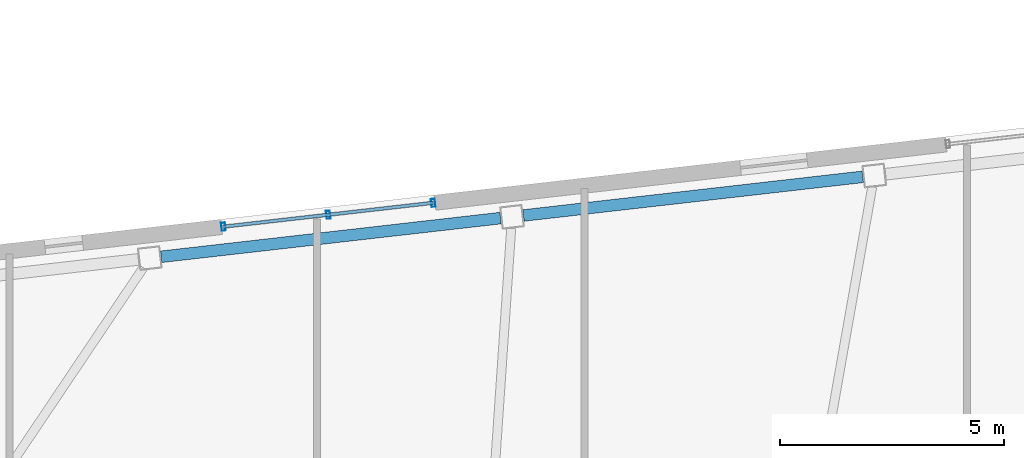
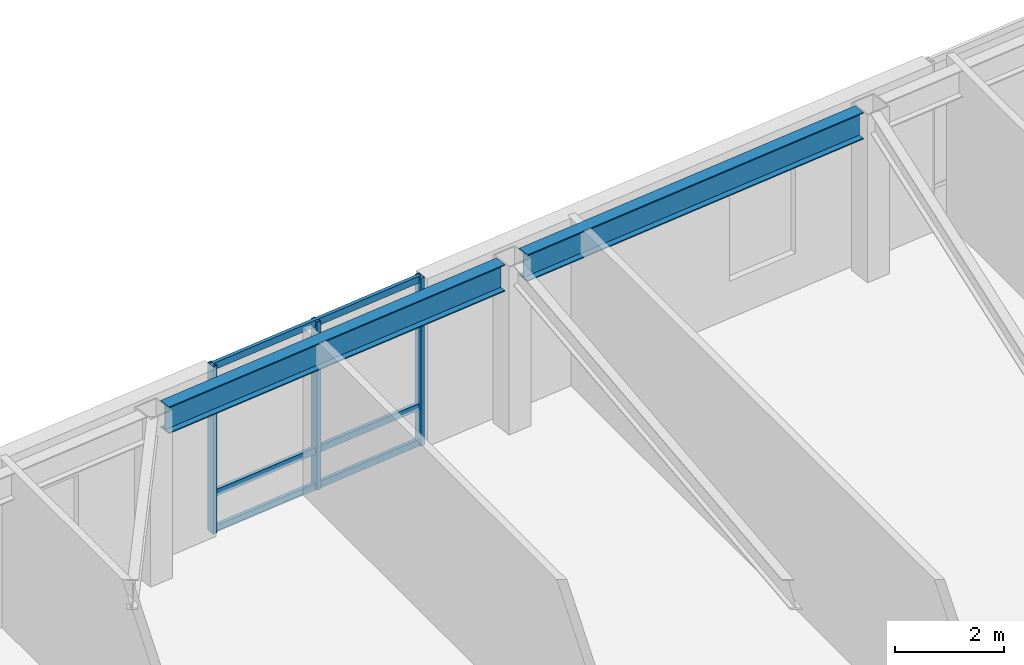
# One storey, part 8 of 19: 6 members, 2 beams, 1 element without a shape of its own.
"""IFC4 building model written with IfcOpenShell, lengths in metres."""

import ifcopenshell
import ifcopenshell.guid

model = None  # the IFC model being written
_history = None  # IfcOwnerHistory: only IFC2X3 demands one
_inside = {}  # id of a spatial element -> (the spatial element, [elements in it])
_under = {}  # id of a project, library or spatial element -> (it, [spatial elements below it])
_declared = {}  # id of a project -> (the project, [libraries it declares])
_typed = {}  # id of a type object -> (the type object, [elements of that type])
_made_of = {}  # id of a material, layer set ... -> (it, [elements and type objects made of it])


def new_model(schema):
    """Start an empty IFC model of exactly this schema.

    Asked for "IFC4X3", IfcOpenShell would pick the latest addendum, in which some entities
    have other attributes; the version numbers below select the first issue.
    IFC2X3 requires an IfcOwnerHistory on every rooted entity: one is made here for all.
    """
    global model, _history
    if schema == "IFC4X3":
        model = ifcopenshell.file(schema_version=(4, 3, 0, 0))
    else:
        model = ifcopenshell.file(schema=schema)
    _inside.clear()
    _under.clear()
    _declared.clear()
    _typed.clear()
    _made_of.clear()
    _history = None
    if model.schema == "IFC2X3":
        org = make("IfcOrganization", Name="unknown")
        user = make(
            "IfcPersonAndOrganization",
            ThePerson=make("IfcPerson", FamilyName="unknown"),
            TheOrganization=org,
        )
        app = make(
            "IfcApplication",
            ApplicationDeveloper=org,
            Version="unknown",
            ApplicationFullName="unknown",
            ApplicationIdentifier="unknown",
        )
        _history = make(
            "IfcOwnerHistory",
            OwningUser=user,
            OwningApplication=app,
            ChangeAction="ADDED",
            CreationDate=0,
        )
    return model


def make(cls, **values):
    """One entity of the class cls with the attributes given. An attribute that is None is left unset."""
    return model.create_entity(
        cls, **{name: value for name, value in values.items() if value is not None}
    )


def rooted(cls, **values):
    """An entity with a GlobalId (a new one), such as an element, a storey or a relation."""
    return make(cls, GlobalId=ifcopenshell.guid.new(), OwnerHistory=_history, **values)


def si_unit(unit_type, name, prefix=None):
    """IfcSIUnit, for example si_unit("LENGTHUNIT", "METRE", prefix="MILLI")."""
    return make("IfcSIUnit", UnitType=unit_type, Prefix=prefix, Name=name)


def assignment(units):
    """IfcUnitAssignment: the units of a project."""
    return None if units is None else make("IfcUnitAssignment", Units=units)


def point(xyz):
    """IfcCartesianPoint."""
    return None if xyz is None else make("IfcCartesianPoint", Coordinates=xyz)


def direction(xyz):
    """IfcDirection."""
    return None if xyz is None else make("IfcDirection", DirectionRatios=xyz)


def frame(location, z_axis=None, x_axis=None):
    """IfcAxis2Placement3D, a coordinate frame: its origin and axes. An axis left out is left unset."""
    return make(
        "IfcAxis2Placement3D",
        Location=point(location),
        Axis=direction(z_axis),
        RefDirection=direction(x_axis),
    )


def frame_2d(location, x_axis=None):
    """IfcAxis2Placement2D, a coordinate frame in the plane: its origin and x axis."""
    return make(
        "IfcAxis2Placement2D", Location=point(location), RefDirection=direction(x_axis)
    )


def origin():
    """The frame at (0, 0, 0) with its axes left unset."""
    return frame((0.0, 0.0, 0.0))


def origin_2d():
    """The frame at (0, 0) in the plane with its x axis left unset."""
    return frame_2d((0.0, 0.0))


def place(relative_to, where):
    """IfcLocalPlacement: puts the frame where relative to a parent placement (None: the world)."""
    return make(
        "IfcLocalPlacement", PlacementRelTo=relative_to, RelativePlacement=where
    )


def context(
    kind, dimensions, precision=None, world=None, true_north=None, identifier=None
):
    """IfcGeometricRepresentationContext, for example the 3D "Model" context."""
    return make(
        "IfcGeometricRepresentationContext",
        ContextIdentifier=identifier,
        ContextType=kind,
        CoordinateSpaceDimension=dimensions,
        Precision=precision,
        WorldCoordinateSystem=world,
        TrueNorth=true_north,
    )


def subcontext(parent, identifier, kind, view, scale=None):
    """IfcGeometricRepresentationSubContext, for example "Body" below "Model"."""
    return make(
        "IfcGeometricRepresentationSubContext",
        ContextIdentifier=identifier,
        ContextType=kind,
        ParentContext=parent,
        TargetScale=scale,
        TargetView=view,
    )


def project(units=None, contexts=None):
    """IfcProject with its units and contexts."""
    return rooted(
        "IfcProject",
        Name="project",
        RepresentationContexts=contexts,
        UnitsInContext=assignment(units),
    )


def spatial(cls, under=None, at=None, **own):
    """A site, building, storey or space (cls), placed at a placement, below another one or the project."""
    s = rooted(cls, ObjectPlacement=at, **own)
    if under is not None:
        _under.setdefault(under.id(), (under, []))[1].append(s)
    return s


def profile(cls, at=None, kind="AREA", **sizes):
    """A parametric profile (cls). Its sizes go by their IFC names, for example OverallWidth=200.0."""
    return make(cls, ProfileType=kind, Position=at, **sizes)


def hollow_rectangle(**sizes):
    """IfcRectangleHollowProfileDef."""
    return profile("IfcRectangleHollowProfileDef", **sizes)


def i_section(**sizes):
    """IfcIShapeProfileDef."""
    return profile("IfcIShapeProfileDef", **sizes)


def extrude(swept, where, along, depth):
    """IfcExtrudedAreaSolid: the profile swept, set in the frame where, extruded along a direction by depth."""
    return make(
        "IfcExtrudedAreaSolid",
        SweptArea=swept,
        Position=where,
        ExtrudedDirection=direction(along),
        Depth=depth,
    )


def shape(context_of_items, identifier, shape_type, items):
    """IfcShapeRepresentation: the items that make up one representation, for example the "Body"."""
    return make(
        "IfcShapeRepresentation",
        ContextOfItems=context_of_items,
        RepresentationIdentifier=identifier,
        RepresentationType=shape_type,
        Items=items,
    )


def material(Name=None, Category=None):
    """IfcMaterial."""
    return make("IfcMaterial", Name=Name, Category=Category)


def layer(
    of_material, thickness, ventilated=None, Name=None, Category=None, Priority=None
):
    """IfcMaterialLayer: one layer of a wall or slab, of a material (None: an air gap)."""
    return make(
        "IfcMaterialLayer",
        Material=of_material,
        LayerThickness=thickness,
        IsVentilated=ventilated,
        Name=Name,
        Category=Category,
        Priority=Priority,
    )


def layer_set(layers, Name=None):
    """IfcMaterialLayerSet."""
    return make("IfcMaterialLayerSet", MaterialLayers=layers, LayerSetName=Name)


def material_profile(
    of_material, cross_section, Name=None, Category=None, Priority=None
):
    """IfcMaterialProfile: a cross section and its material."""
    return make(
        "IfcMaterialProfile",
        Name=Name,
        Material=of_material,
        Profile=cross_section,
        Priority=Priority,
        Category=Category,
    )


def profile_set(profiles, Name=None, composite=None):
    """IfcMaterialProfileSet."""
    return make(
        "IfcMaterialProfileSet",
        Name=Name,
        MaterialProfiles=profiles,
        CompositeProfile=composite,
    )


def made_of(thing, what):
    """Note that an element or type object is made of a material, layer set ...; save() writes the relation."""
    if what is not None:
        _made_of.setdefault(what.id(), (what, []))[1].append(thing)
    return thing


def type_object(cls, material=None, **own):
    """A type object (cls), such as IfcWallType, which elements share."""
    return made_of(rooted(cls, **own), material)


def element(
    cls,
    number,
    at=None,
    inside=None,
    cuts=None,
    type_object=None,
    material=None,
    context=None,
    identifier="Body",
    shape_type=None,
    held_by="IfcProductDefinitionShape",
    body=None,
    shapes=None,
    **own,
):
    """One element of the class cls, such as IfcWall. Its Tag is "e" and its number.

    at: its placement. inside: the storey or other place that contains it. cuts: it is an
    opening in that element (IfcRelVoidsElement). A single representation is given by context,
    identifier, shape_type and body (its items); several are given by shapes. held_by: the class
    of the entity that holds the representations. save() writes the other relations.
    """
    e = rooted(cls, Tag="e%d" % number, ObjectPlacement=at, **own)
    if body is not None:
        shapes = [shape(context, identifier, shape_type, body)]
    if shapes is not None:
        e.Representation = make(held_by, Representations=shapes)
    if inside is not None:
        _inside.setdefault(inside.id(), (inside, []))[1].append(e)
    if cuts is not None:
        rooted(
            "IfcRelVoidsElement", RelatingBuildingElement=cuts, RelatedOpeningElement=e
        )
    if type_object is not None:
        _typed.setdefault(type_object.id(), (type_object, []))[1].append(e)
    return made_of(e, material)


def aggregate(whole, parts):
    """IfcRelAggregates: a whole, such as a stair, and the parts it consists of."""
    return rooted("IfcRelAggregates", RelatingObject=whole, RelatedObjects=parts)


def save(model, path):
    """Write the relations noted so far, then the file.

    IfcRelAggregates (storeys below a building ...), IfcRelContainedInSpatialStructure (elements
    in a storey), IfcRelDefinesByType, IfcRelAssociatesMaterial and IfcRelDeclares: one each for
    every whole, place, type object, material and project.
    """
    for whole, parts in _under.values():
        aggregate(whole, parts)
    for where, things in _inside.values():
        rooted(
            "IfcRelContainedInSpatialStructure",
            RelatedElements=things,
            RelatingStructure=where,
        )
    for kind, things in _typed.values():
        rooted("IfcRelDefinesByType", RelatedObjects=things, RelatingType=kind)
    for what, things in _made_of.values():
        rooted("IfcRelAssociatesMaterial", RelatedObjects=things, RelatingMaterial=what)
    for by, libraries in _declared.values():
        rooted("IfcRelDeclares", RelatingContext=by, RelatedDefinitions=libraries)
    model.write(path)


model = new_model("IFC4")

# Units and contexts
model_context = context("Model", 3, precision=1e-05, world=origin(), true_north=direction((0.0, 1.0)))
body_context = subcontext(model_context, "Body", "Model", "MODEL_VIEW")
ifc_project = project(units=[si_unit("LENGTHUNIT", "METRE"), si_unit("AREAUNIT", "SQUARE_METRE"), si_unit("VOLUMEUNIT", "CUBIC_METRE"), si_unit("PLANEANGLEUNIT", "RADIAN"), si_unit("MASSUNIT", "GRAM", prefix="KILO")], contexts=[model_context])

# Site, building, storey
site_placement = place(None, origin())
site = spatial("IfcSite", under=ifc_project, at=site_placement, CompositionType="ELEMENT")
building_placement = place(site_placement, origin())
building = spatial("IfcBuilding", under=site, at=building_placement, Name="Tavrogorsk Clinical Tower", CompositionType="ELEMENT")
storey_placement = place(building_placement, frame((0.0, 0.0, 255.0)))
storey = spatial("IfcBuildingStorey", under=building, at=storey_placement, Name="L59", CompositionType="ELEMENT", Elevation=255.0)

# Curtain wall, members
ifc_material_1 = material(Name="Anodised aluminium and triple IGU glazing", Category="aluminium")
ifc_layer = layer(ifc_material_1, 0.179931640625)
ifc_layer_set = layer_set([ifc_layer], Name="Anodised aluminium and triple IGU glazing")
curtain_wall_type = type_object("IfcCurtainWallType", Name="CW2_NorthSlot", PredefinedType="NOTDEFINED", material=ifc_layer_set)
curtain_wall_placement = place(storey_placement, origin())
curtain_wall = element("IfcCurtainWall", 1, at=curtain_wall_placement, inside=storey, type_object=curtain_wall_type, Name="L59 Curtain Wall CW-L59-N-SLOT-1", PredefinedType="NOTDEFINED")
ifc_material_2 = material(Name="Anodised aluminium alloy AW-6060", Category="aluminium")
ifc_material_profile_1 = material_profile(ifc_material_2, hollow_rectangle(XDim=0.090087890625, YDim=0.179931640625, WallThickness=0.00634765625, at=origin_2d()), Name="RHS-180x90x6.3")
ifc_profile_set_1 = profile_set([ifc_material_profile_1], Name="Anodised aluminium alloy AW-6060")
member_type_1 = type_object("IfcMemberType", Name="CwMullion_180x90", PredefinedType="MULLION", material=ifc_profile_set_1)
member_1_placement = place(storey_placement, frame((-10.781982421875, 25.42529296875, 0.0), z_axis=(0.0, 0.0, 1.0), x_axis=(-0.993571855603, -0.11320321441, 0.0)))
member_1 = element("IfcMember", 2, at=member_1_placement, type_object=member_type_1, Name="CW-L59-N-SLOT-1 Mullion 1", PredefinedType="MULLION", context=body_context, shape_type="SweptSolid", body=[
    extrude(hollow_rectangle(XDim=0.090087890625, YDim=0.179931640625, WallThickness=0.00634765625, at=origin_2d()), origin(), (0.0, 0.0, 1.0), 3.739990234375),
])
member_2_placement = place(storey_placement, frame((-13.1259765625, 25.158203125, 0.0), z_axis=(0.0, 0.0, 1.0), x_axis=(-0.993571855603, -0.11320321441, 0.0)))
member_2 = element("IfcMember", 3, at=member_2_placement, type_object=member_type_1, Name="CW-L59-N-SLOT-1 Mullion 2", PredefinedType="MULLION", context=body_context, shape_type="SweptSolid", body=[
    extrude(hollow_rectangle(XDim=0.090087890625, YDim=0.179931640625, WallThickness=0.00634765625, at=origin_2d()), origin(), (0.0, 0.0, 1.0), 3.739990234375),
])
member_3_placement = place(storey_placement, frame((-15.4697265625, 24.89111328125, 0.0), z_axis=(0.0, 0.0, 1.0), x_axis=(-0.993571855603, -0.11320321441, 0.0)))
member_3 = element("IfcMember", 4, at=member_3_placement, type_object=member_type_1, Name="CW-L59-N-SLOT-1 Mullion 3", PredefinedType="MULLION", context=body_context, shape_type="SweptSolid", body=[
    extrude(hollow_rectangle(XDim=0.090087890625, YDim=0.179931640625, WallThickness=0.00634765625, at=origin_2d()), origin(), (0.0, 0.0, 1.0), 3.739990234375),
])
ifc_material_3 = material(Name="Anodised aluminium alloy AW-6060", Category="aluminium")
ifc_material_profile_2 = material_profile(ifc_material_3, hollow_rectangle(XDim=0.074951171875, YDim=0.14990234375, WallThickness=0.0048828125, at=origin_2d()), Name="RHS-150x75x5")
ifc_profile_set_2 = profile_set([ifc_material_profile_2], Name="Anodised aluminium alloy AW-6060")
member_type_2 = type_object("IfcMemberType", Name="CwTransom_150x75", PredefinedType="USERDEFINED", material=ifc_profile_set_2)
member_4_placement = place(storey_placement, frame((-10.781982421875, 25.42529296875, 0.050048828125), z_axis=(-0.993569979218, -0.113219682023, 0.0), x_axis=(0.113219682023, -0.993569979218, 0.0)))
member_4 = element("IfcMember", 5, at=member_4_placement, type_object=member_type_2, Name="CW-L59-N-SLOT-1 Transom 1", ObjectType="TRANSOM", PredefinedType="USERDEFINED", context=body_context, shape_type="SweptSolid", body=[
    extrude(hollow_rectangle(XDim=0.074951171875, YDim=0.14990234375, WallThickness=0.0048828125, at=origin_2d()), origin(), (0.0, 0.0, 1.0), 4.718017578125),
])
member_5_placement = place(storey_placement, frame((-10.781982421875, 25.42529296875, 0.85009765625), z_axis=(-0.993569979218, -0.113219682023, 0.0), x_axis=(0.113219682023, -0.993569979218, 0.0)))
member_5 = element("IfcMember", 6, at=member_5_placement, type_object=member_type_2, Name="CW-L59-N-SLOT-1 Transom 2", ObjectType="TRANSOM", PredefinedType="USERDEFINED", context=body_context, shape_type="SweptSolid", body=[
    extrude(hollow_rectangle(XDim=0.074951171875, YDim=0.14990234375, WallThickness=0.0048828125, at=origin_2d()), origin(), (0.0, 0.0, 1.0), 4.718017578125),
])
member_6_placement = place(storey_placement, frame((-10.781982421875, 25.42529296875, 3.68994140625), z_axis=(-0.993569979218, -0.113219682023, 0.0), x_axis=(0.113219682023, -0.993569979218, 0.0)))
member_6 = element("IfcMember", 7, at=member_6_placement, type_object=member_type_2, Name="CW-L59-N-SLOT-1 Transom 3", ObjectType="TRANSOM", PredefinedType="USERDEFINED", context=body_context, shape_type="SweptSolid", body=[
    extrude(hollow_rectangle(XDim=0.074951171875, YDim=0.14990234375, WallThickness=0.0048828125, at=origin_2d()), origin(), (0.0, 0.0, 1.0), 4.718017578125),
])
aggregate(curtain_wall, [member_1, member_2, member_3, member_4, member_5, member_6])

# Beams
ifc_material_4 = material(Name="Structural steel S390", Category="steel")
ifc_material_profile_3 = material_profile(ifc_material_4, i_section(OverallWidth=0.260009765625, OverallDepth=0.60009765625, WebThickness=0.014892578125, FlangeThickness=0.02392578125, at=origin_2d()), Name="B-600x260x15x24")
ifc_profile_set_3 = profile_set([ifc_material_profile_3], Name="Structural steel S390")
beam_type = type_object("IfcBeamType", Name="SpandrelBeam_B600", PredefinedType="SPANDREL", material=ifc_profile_set_3)
for number, where, z_axis, x_axis, name in (
    (8, (-1.18017578125, 26.006103515625, 3.43994140625), (-0.993568501687, -0.113232647478, 0.0), (0.113232647478, -0.993568501687, 0.0), "L59 Perimeter Spandrel N4-N5"),
    (9, (-9.2763671875, 25.08349609375, 3.43994140625), (-0.993572099834, -0.113201070804, 0.0), (0.113201070804, -0.993572099834, 0.0), "L59 Perimeter Spandrel N5-N6"),
):
    element("IfcBeam", number, at=place(storey_placement, frame(where, z_axis=z_axis, x_axis=x_axis)), inside=storey, type_object=beam_type, Name=name, PredefinedType="SPANDREL", context=body_context, shape_type="SweptSolid", body=[
        extrude(i_section(OverallWidth=0.260009765625, OverallDepth=0.60009765625, WebThickness=0.014892578125, FlangeThickness=0.02392578125, at=origin_2d()), origin(), (0.0, 0.0, 1.0), 7.632568359375),
    ])

save(model, "model.ifc")
